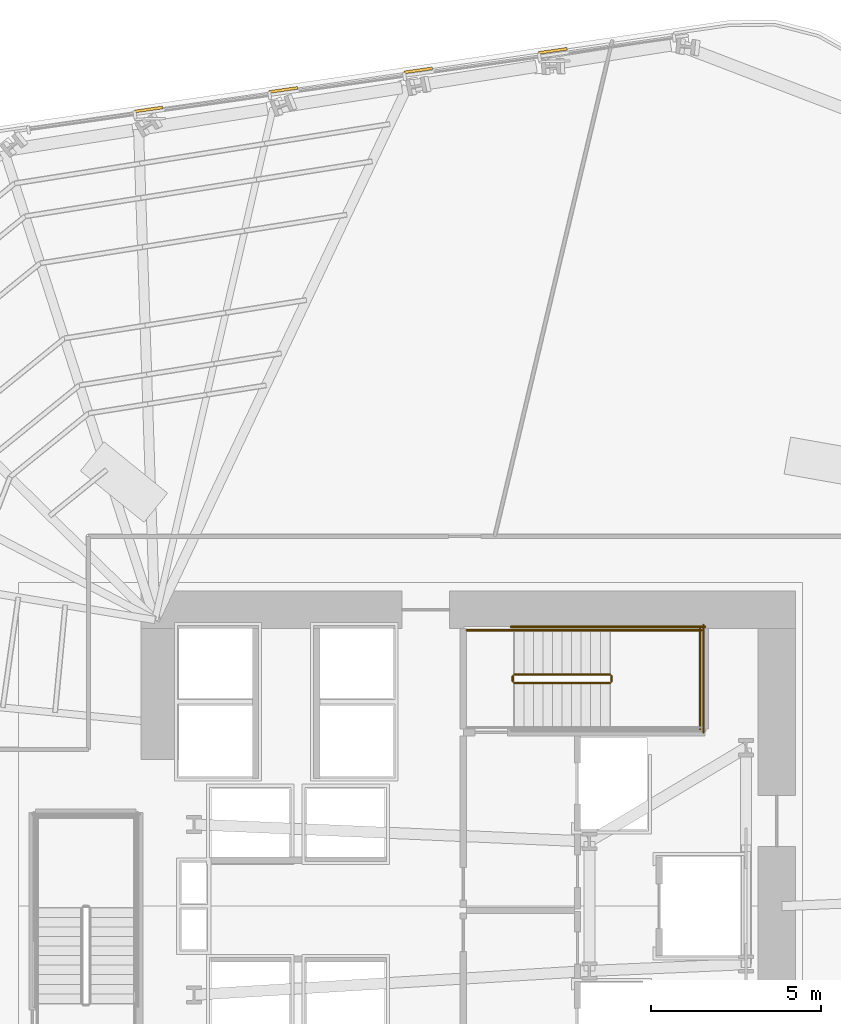
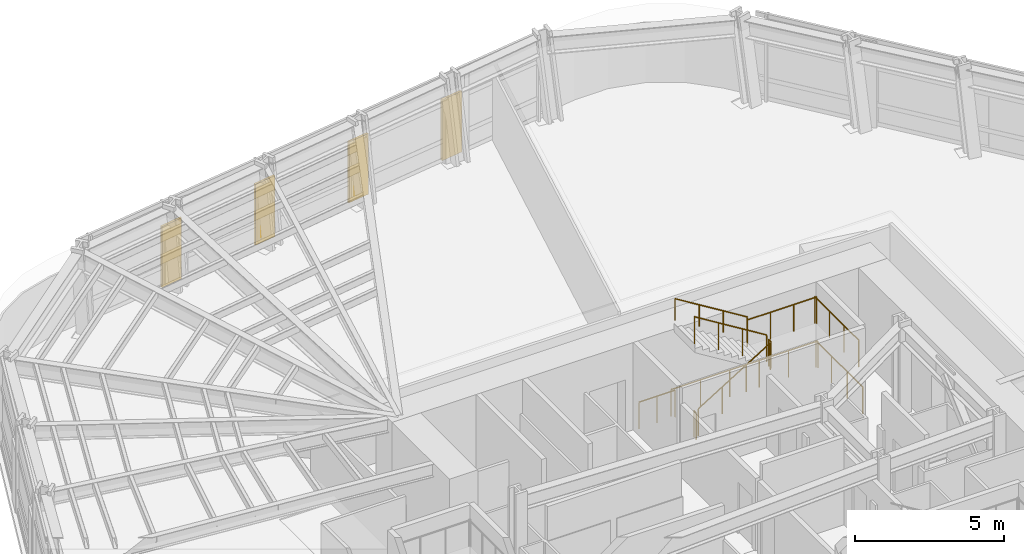
# One storey, part 14 of 16: 10 railings, 4 coverings.
"""IFC4 building model written with IfcOpenShell, lengths in metres."""

from ifc_helpers import new_model, si_unit, direction, frame, origin, origin_2d, place, context, subcontext, project, spatial, polyline, circle, outline, extrude, material, layer, layer_set, type_object, element, save


model = new_model("IFC4")

# Units and contexts
model_context = context("Model", 3, precision=1e-05, world=origin(), true_north=direction((0.0, 1.0)))
body_context = subcontext(model_context, "Body", "Model", "MODEL_VIEW")
ifc_project = project(units=[si_unit("LENGTHUNIT", "METRE"), si_unit("AREAUNIT", "SQUARE_METRE"), si_unit("VOLUMEUNIT", "CUBIC_METRE"), si_unit("PLANEANGLEUNIT", "RADIAN"), si_unit("MASSUNIT", "GRAM", prefix="KILO")], contexts=[model_context])

# Site, building, storey
site_placement = place(None, origin())
site = spatial("IfcSite", under=ifc_project, at=site_placement, CompositionType="ELEMENT")
building_placement = place(site_placement, origin())
building = spatial("IfcBuilding", under=site, at=building_placement, Name="Valkerne Bourse Tower", CompositionType="ELEMENT")
storey_placement = place(building_placement, frame((0.0, 0.0, 58.199951171875)))
storey = spatial("IfcBuildingStorey", under=building, at=storey_placement, Name="L14", CompositionType="ELEMENT", Elevation=58.199951171875)

# Coverings
ifc_material_1 = material(Name="Bronze Anodised Aluminium AA 6063-T6", Category="aluminium")
ifc_layer = layer(ifc_material_1, 0.06005859375)
ifc_layer_set = layer_set([ifc_layer], Name="Bronze Anodised Aluminium AA 6063-T6")
covering_type = type_object("IfcCoveringType", Name="COV-CRN-ALUM", PredefinedType="CLADDING", material=ifc_layer_set)
covering_1_placement = place(storey_placement, origin())
element("IfcCovering", 1, at=covering_1_placement, inside=storey, type_object=covering_type, Name="L14 Wind-Shaped Corner Aluminium Cladding 17", PredefinedType="CLADDING", context=body_context, shape_type="SweptSolid", body=[
    extrude(outline(polyline([(37.827880859375, 50.48046875), (37.83935546875, 50.401123046875), (37.008056640625, 50.280517578125), (36.996826171875, 50.35986328125), (37.827880859375, 50.48046875)])), origin(), (0.0, 0.0, 1.0), 2.5),
])
covering_2_placement = place(storey_placement, origin())
element("IfcCovering", 2, at=covering_2_placement, inside=storey, type_object=covering_type, Name="L14 Wind-Shaped Corner Aluminium Cladding 18", PredefinedType="CLADDING", context=body_context, shape_type="SweptSolid", body=[
    extrude(outline(polyline([(41.78271484375, 51.05419921875), (41.7939453125, 50.97509765625), (40.962646484375, 50.8544921875), (40.951416015625, 50.93359375), (41.78271484375, 51.05419921875)])), origin(), (0.0, 0.0, 1.0), 2.5),
])
covering_3_placement = place(storey_placement, origin())
element("IfcCovering", 3, at=covering_3_placement, inside=storey, type_object=covering_type, Name="L14 Wind-Shaped Corner Aluminium Cladding 19", PredefinedType="CLADDING", context=body_context, shape_type="SweptSolid", body=[
    extrude(outline(polyline([(45.7373046875, 51.6279296875), (45.74853515625, 51.548583984375), (44.917236328125, 51.427978515625), (44.906005859375, 51.50732421875), (45.7373046875, 51.6279296875)])), origin(), (0.0, 0.0, 1.0), 2.5),
])
covering_4_placement = place(storey_placement, origin())
element("IfcCovering", 4, at=covering_4_placement, inside=storey, type_object=covering_type, Name="L14 Wind-Shaped Corner Aluminium Cladding 20", PredefinedType="CLADDING", context=body_context, shape_type="SweptSolid", body=[
    extrude(outline(polyline([(49.69189453125, 52.20166015625), (49.703125, 52.122314453125), (48.871826171875, 52.001708984375), (48.860595703125, 52.0810546875), (49.69189453125, 52.20166015625)])), origin(), (0.0, 0.0, 1.0), 2.5),
])

# Railings
ifc_material_2 = material(Name="Galvanised Painted Steel", Category="steel")
railing_type_1 = type_object("IfcRailingType", Name="RLG-ST-GUARD-1120", PredefinedType="GUARDRAIL", material=ifc_material_2)
railing_1_placement = place(storey_placement, frame((48.14990234375, 33.550048828125, 0.1728515625)))
element("IfcRailing", 5, at=railing_1_placement, inside=storey, type_object=railing_type_1, Name="L14 ST-2 stair guard 1", PredefinedType="GUARDRAIL", context=body_context, shape_type="SweptSolid", body=[
    extrude(circle(Radius=0.02392578125, at=origin_2d()), frame((0.0, 0.0, 1.09619140625), z_axis=(0.851089632645, 0.0, 0.525020415988), x_axis=(0.0, 1.0, 0.0)), (0.0, 0.0, 1.0), 3.2900390625),
    extrude(circle(Radius=0.02099609375, at=origin_2d()), origin(), (0.0, 0.0, 1.0), 1.072021484375),
    extrude(circle(Radius=0.02099609375, at=origin_2d()), frame((0.933349609375, 0.0, 0.57568359375)), (0.0, 0.0, 1.0), 1.072021484375),
    extrude(circle(Radius=0.02099609375, at=origin_2d()), frame((1.86669921875, 0.0, 1.151611328125)), (0.0, 0.0, 1.0), 1.072021484375),
    extrude(circle(Radius=0.02099609375, at=origin_2d()), frame((2.800048828125, 0.0, 1.727294921875)), (0.0, 0.0, 1.0), 1.072021484375),
])
railing_2_placement = place(storey_placement, frame((51.0, 33.60009765625, 1.900146484375)))
element("IfcRailing", 6, at=railing_2_placement, inside=storey, type_object=railing_type_1, Name="L14 ST-2 stair guard 2", PredefinedType="GUARDRAIL", context=body_context, shape_type="SweptSolid", body=[
    extrude(circle(Radius=0.02392578125, at=origin_2d()), frame((0.0, 0.0, 1.09619140625), z_axis=(0.0, 1.0, 0.0), x_axis=(-1.0, 0.0, 0.0)), (0.0, 0.0, 1.0), 0.14990234375),
    extrude(circle(Radius=0.02099609375, at=origin_2d()), origin(), (0.0, 0.0, 1.0), 1.072021484375),
    extrude(circle(Radius=0.02099609375, at=origin_2d()), frame((0.0, 0.14990234375, 0.0)), (0.0, 0.0, 1.0), 1.072021484375),
])
railing_3_placement = place(storey_placement, frame((50.949951171875, 35.10009765625, 1.900146484375)))
element("IfcRailing", 7, at=railing_3_placement, inside=storey, type_object=railing_type_1, Name="L14 ST-2 stair guard 4", PredefinedType="GUARDRAIL", context=body_context, shape_type="SweptSolid", body=[
    extrude(circle(Radius=0.02392578125, at=origin_2d()), frame((0.0, 0.0, 1.09619140625), z_axis=(1.0, 0.0, 0.0), x_axis=(0.0, 1.0, 0.0)), (0.0, 0.0, 1.0), 2.699951171875),
    extrude(circle(Radius=0.02099609375, at=origin_2d()), origin(), (0.0, 0.0, 1.0), 1.072021484375),
    extrude(circle(Radius=0.02099609375, at=origin_2d()), frame((0.89990234375, 0.0, 0.0)), (0.0, 0.0, 1.0), 1.072021484375),
    extrude(circle(Radius=0.02099609375, at=origin_2d()), frame((1.800048828125, 0.0, 0.0)), (0.0, 0.0, 1.0), 1.072021484375),
    extrude(circle(Radius=0.02099609375, at=origin_2d()), frame((2.699951171875, 0.0, 0.0)), (0.0, 0.0, 1.0), 1.072021484375),
])
railing_4_placement = place(storey_placement, frame((53.60009765625, 32.199951171875, 1.900146484375)))
element("IfcRailing", 8, at=railing_4_placement, inside=storey, type_object=railing_type_1, Name="L14 ST-2 stair guard 5", PredefinedType="GUARDRAIL", context=body_context, shape_type="SweptSolid", body=[
    extrude(circle(Radius=0.02392578125, at=origin_2d()), frame((0.0, 0.0, 1.09619140625), z_axis=(0.0, 1.0, 0.0), x_axis=(-1.0, 0.0, 0.0)), (0.0, 0.0, 1.0), 2.949951171875),
    extrude(circle(Radius=0.02099609375, at=origin_2d()), origin(), (0.0, 0.0, 1.0), 1.072021484375),
    extrude(circle(Radius=0.02099609375, at=origin_2d()), frame((0.0, 0.9833984375, 0.0)), (0.0, 0.0, 1.0), 1.072021484375),
    extrude(circle(Radius=0.02099609375, at=origin_2d()), frame((0.0, 1.966552734375, 0.0)), (0.0, 0.0, 1.0), 1.072021484375),
    extrude(circle(Radius=0.02099609375, at=origin_2d()), frame((0.0, 2.949951171875, 0.0)), (0.0, 0.0, 1.0), 1.072021484375),
])
railing_5_placement = place(storey_placement, frame((50.949951171875, 33.800048828125, 2.07275390625)))
element("IfcRailing", 9, at=railing_5_placement, inside=storey, type_object=railing_type_1, Name="L14 ST-2 stair guard 6", PredefinedType="GUARDRAIL", context=body_context, shape_type="SweptSolid", body=[
    extrude(circle(Radius=0.02392578125, at=origin_2d()), frame((0.0, 0.0, 1.09619140625), z_axis=(-0.851089632645, 0.0, 0.525020415988), x_axis=(0.0, -1.0, 0.0)), (0.0, 0.0, 1.0), 3.2900390625),
    extrude(circle(Radius=0.02099609375, at=origin_2d()), origin(), (0.0, 0.0, 1.0), 1.072021484375),
    extrude(circle(Radius=0.02099609375, at=origin_2d()), frame((-0.933349609375, 0.0, 0.57568359375)), (0.0, 0.0, 1.0), 1.072021484375),
    extrude(circle(Radius=0.02099609375, at=origin_2d()), frame((-1.86669921875, 0.0, 1.151611328125)), (0.0, 0.0, 1.0), 1.072021484375),
    extrude(circle(Radius=0.02099609375, at=origin_2d()), frame((-2.800048828125, 0.0, 1.727294921875)), (0.0, 0.0, 1.0), 1.072021484375),
])
railing_6_placement = place(storey_placement, frame((48.10009765625, 33.60009765625, 0.0)))
element("IfcRailing", 10, at=railing_6_placement, inside=storey, type_object=railing_type_1, Name="L14 ST-2 stair guard 7", PredefinedType="GUARDRAIL", context=body_context, shape_type="SweptSolid", body=[
    extrude(circle(Radius=0.02392578125, at=origin_2d()), frame((0.0, 0.0, 1.09619140625), z_axis=(0.0, 1.0, 0.0), x_axis=(-1.0, 0.0, 0.0)), (0.0, 0.0, 1.0), 0.14990234375),
    extrude(circle(Radius=0.02099609375, at=origin_2d()), origin(), (0.0, 0.0, 1.0), 1.072021484375),
    extrude(circle(Radius=0.02099609375, at=origin_2d()), frame((0.0, 0.14990234375, 0.0)), (0.0, 0.0, 1.0), 1.072021484375),
])
railing_7_placement = place(storey_placement, frame((46.75, 35.10009765625, 0.0)))
element("IfcRailing", 11, at=railing_7_placement, inside=storey, type_object=railing_type_1, Name="L14 ST-2 stair guard 9", PredefinedType="GUARDRAIL", context=body_context, shape_type="SweptSolid", body=[
    extrude(circle(Radius=0.02392578125, at=origin_2d()), frame((0.0, 0.0, 1.09619140625), z_axis=(1.0, 0.0, 0.0), x_axis=(0.0, 1.0, 0.0)), (0.0, 0.0, 1.0), 1.39990234375),
    extrude(circle(Radius=0.02099609375, at=origin_2d()), origin(), (0.0, 0.0, 1.0), 1.072021484375),
    extrude(circle(Radius=0.02099609375, at=origin_2d()), frame((0.699951171875, 0.0, 0.0)), (0.0, 0.0, 1.0), 1.072021484375),
    extrude(circle(Radius=0.02099609375, at=origin_2d()), frame((1.39990234375, 0.0, 0.0)), (0.0, 0.0, 1.0), 1.072021484375),
])
railing_8_placement = place(storey_placement, frame((48.050048828125, 35.199951171875, 0.0)))
element("IfcRailing", 12, at=railing_8_placement, inside=storey, type_object=railing_type_1, Name="L14 ST-2 stair guard 11", PredefinedType="GUARDRAIL", context=body_context, shape_type="SweptSolid", body=[
    extrude(circle(Radius=0.02392578125, at=origin_2d()), frame((0.0, 0.0, 1.09619140625), z_axis=(1.0, 0.0, 0.0), x_axis=(0.0, 1.0, 0.0)), (0.0, 0.0, 1.0), 5.699951171875),
    extrude(circle(Radius=0.02099609375, at=origin_2d()), origin(), (0.0, 0.0, 1.0), 1.072021484375),
    extrude(circle(Radius=0.02099609375, at=origin_2d()), frame((1.139892578125, 0.0, 0.0)), (0.0, 0.0, 1.0), 1.072021484375),
    extrude(circle(Radius=0.02099609375, at=origin_2d()), frame((2.280029296875, 0.0, 0.0)), (0.0, 0.0, 1.0), 1.072021484375),
    extrude(circle(Radius=0.02099609375, at=origin_2d()), frame((3.419921875, 0.0, 0.0)), (0.0, 0.0, 1.0), 1.072021484375),
    extrude(circle(Radius=0.02099609375, at=origin_2d()), frame((4.56005859375, 0.0, 0.0)), (0.0, 0.0, 1.0), 1.072021484375),
    extrude(circle(Radius=0.02099609375, at=origin_2d()), frame((5.699951171875, 0.0, 0.0)), (0.0, 0.0, 1.0), 1.072021484375),
])
railing_9_placement = place(storey_placement, frame((53.699951171875, 32.10009765625, 0.0)))
element("IfcRailing", 13, at=railing_9_placement, inside=storey, type_object=railing_type_1, Name="L14 ST-2 stair guard 12", PredefinedType="GUARDRAIL", context=body_context, shape_type="SweptSolid", body=[
    extrude(circle(Radius=0.02392578125, at=origin_2d()), frame((0.0, 0.0, 1.09619140625), z_axis=(0.0, 1.0, 0.0), x_axis=(-1.0, 0.0, 0.0)), (0.0, 0.0, 1.0), 3.14990234375),
    extrude(circle(Radius=0.02099609375, at=origin_2d()), origin(), (0.0, 0.0, 1.0), 1.072021484375),
    extrude(circle(Radius=0.02099609375, at=origin_2d()), frame((0.0, 1.050048828125, 0.0)), (0.0, 0.0, 1.0), 1.072021484375),
    extrude(circle(Radius=0.02099609375, at=origin_2d()), frame((0.0, 2.099853515625, 0.0)), (0.0, 0.0, 1.0), 1.072021484375),
    extrude(circle(Radius=0.02099609375, at=origin_2d()), frame((0.0, 3.14990234375, 0.0)), (0.0, 0.0, 1.0), 1.072021484375),
])
ifc_material_3 = material(Name="Stainless Steel AISI 316", Category="steel")
railing_type_2 = type_object("IfcRailingType", Name="RLG-ST-HANDRAIL-900", PredefinedType="HANDRAIL", material=ifc_material_3)
railing_10_placement = place(storey_placement, frame((50.949951171875, 35.10009765625, 2.24560546875)))
element("IfcRailing", 14, at=railing_10_placement, inside=storey, type_object=railing_type_2, Name="L14 ST-2 stair handrail 2", PredefinedType="HANDRAIL", context=body_context, shape_type="SweptSolid", body=[
    extrude(circle(Radius=0.02392578125, at=origin_2d()), frame((0.0, 0.0, 0.8759765625), z_axis=(-0.851122791225, 0.0, 0.524966660138), x_axis=(0.0, -1.0, 0.0)), (0.0, 0.0, 1.0), 3.289794921875),
    extrude(circle(Radius=0.02099609375, at=origin_2d()), origin(), (0.0, 0.0, 1.0), 0.851806640625),
    extrude(circle(Radius=0.02099609375, at=origin_2d()), frame((-0.933349609375, 0.0, 0.57568359375)), (0.0, 0.0, 1.0), 0.851806640625),
    extrude(circle(Radius=0.02099609375, at=origin_2d()), frame((-1.86669921875, 0.0, 1.1513671875)), (0.0, 0.0, 1.0), 0.851806640625),
    extrude(circle(Radius=0.02099609375, at=origin_2d()), frame((-2.800048828125, 0.0, 1.72705078125)), (0.0, 0.0, 1.0), 0.851806640625),
])

save(model, "model.ifc")
